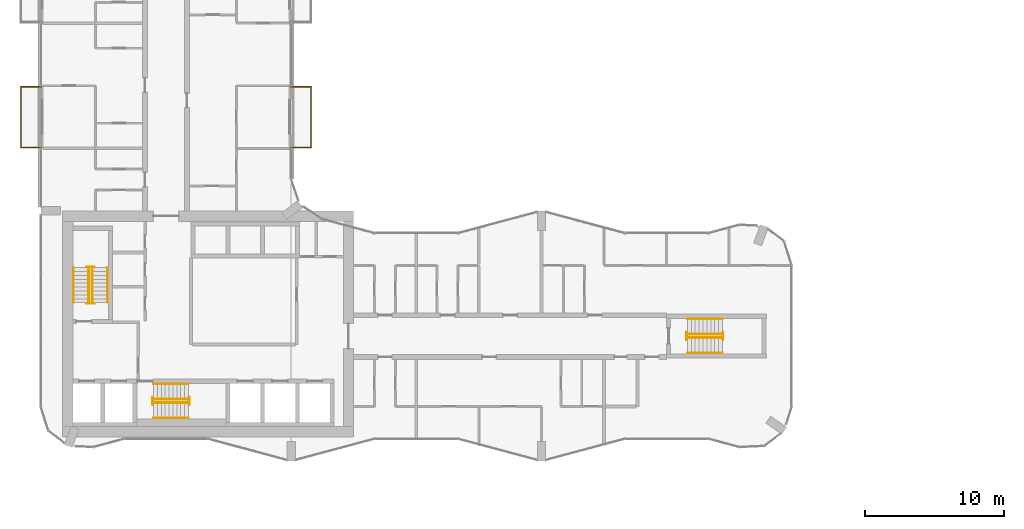
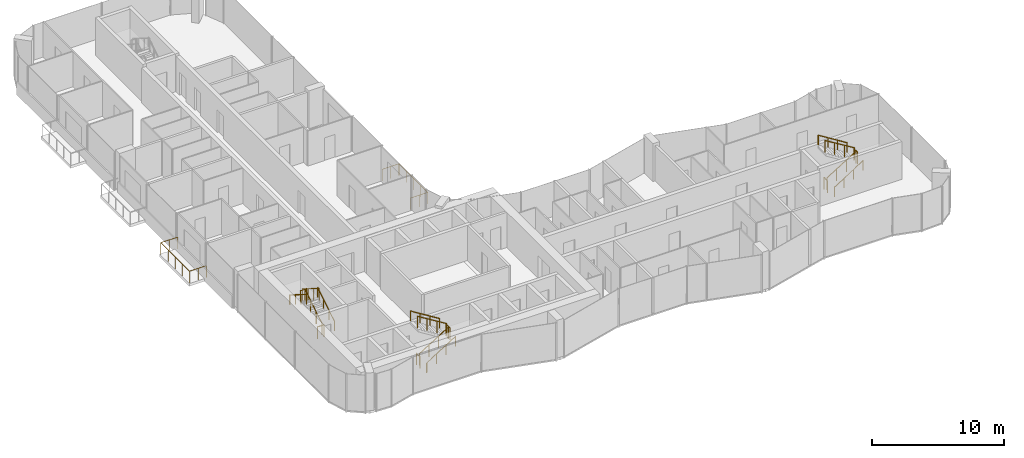
# One storey, part 21 of 23: 20 railings.
"""IFC4 building model written with IfcOpenShell, lengths in metres."""

import ifcopenshell
import ifcopenshell.guid

model = None  # the IFC model being written
_history = None  # IfcOwnerHistory: only IFC2X3 demands one
_inside = {}  # id of a spatial element -> (the spatial element, [elements in it])
_under = {}  # id of a project, library or spatial element -> (it, [spatial elements below it])
_declared = {}  # id of a project -> (the project, [libraries it declares])
_typed = {}  # id of a type object -> (the type object, [elements of that type])
_made_of = {}  # id of a material, layer set ... -> (it, [elements and type objects made of it])


def new_model(schema):
    """Start an empty IFC model of exactly this schema.

    Asked for "IFC4X3", IfcOpenShell would pick the latest addendum, in which some entities
    have other attributes; the version numbers below select the first issue.
    IFC2X3 requires an IfcOwnerHistory on every rooted entity: one is made here for all.
    """
    global model, _history
    if schema == "IFC4X3":
        model = ifcopenshell.file(schema_version=(4, 3, 0, 0))
    else:
        model = ifcopenshell.file(schema=schema)
    _inside.clear()
    _under.clear()
    _declared.clear()
    _typed.clear()
    _made_of.clear()
    _history = None
    if model.schema == "IFC2X3":
        org = make("IfcOrganization", Name="unknown")
        user = make(
            "IfcPersonAndOrganization",
            ThePerson=make("IfcPerson", FamilyName="unknown"),
            TheOrganization=org,
        )
        app = make(
            "IfcApplication",
            ApplicationDeveloper=org,
            Version="unknown",
            ApplicationFullName="unknown",
            ApplicationIdentifier="unknown",
        )
        _history = make(
            "IfcOwnerHistory",
            OwningUser=user,
            OwningApplication=app,
            ChangeAction="ADDED",
            CreationDate=0,
        )
    return model


def make(cls, **values):
    """One entity of the class cls with the attributes given. An attribute that is None is left unset."""
    return model.create_entity(
        cls, **{name: value for name, value in values.items() if value is not None}
    )


def rooted(cls, **values):
    """An entity with a GlobalId (a new one), such as an element, a storey or a relation."""
    return make(cls, GlobalId=ifcopenshell.guid.new(), OwnerHistory=_history, **values)


def si_unit(unit_type, name, prefix=None):
    """IfcSIUnit, for example si_unit("LENGTHUNIT", "METRE", prefix="MILLI")."""
    return make("IfcSIUnit", UnitType=unit_type, Prefix=prefix, Name=name)


def assignment(units):
    """IfcUnitAssignment: the units of a project."""
    return None if units is None else make("IfcUnitAssignment", Units=units)


def point(xyz):
    """IfcCartesianPoint."""
    return None if xyz is None else make("IfcCartesianPoint", Coordinates=xyz)


def direction(xyz):
    """IfcDirection."""
    return None if xyz is None else make("IfcDirection", DirectionRatios=xyz)


def frame(location, z_axis=None, x_axis=None):
    """IfcAxis2Placement3D, a coordinate frame: its origin and axes. An axis left out is left unset."""
    return make(
        "IfcAxis2Placement3D",
        Location=point(location),
        Axis=direction(z_axis),
        RefDirection=direction(x_axis),
    )


def frame_2d(location, x_axis=None):
    """IfcAxis2Placement2D, a coordinate frame in the plane: its origin and x axis."""
    return make(
        "IfcAxis2Placement2D", Location=point(location), RefDirection=direction(x_axis)
    )


def origin():
    """The frame at (0, 0, 0) with its axes left unset."""
    return frame((0.0, 0.0, 0.0))


def origin_2d():
    """The frame at (0, 0) in the plane with its x axis left unset."""
    return frame_2d((0.0, 0.0))


def place(relative_to, where):
    """IfcLocalPlacement: puts the frame where relative to a parent placement (None: the world)."""
    return make(
        "IfcLocalPlacement", PlacementRelTo=relative_to, RelativePlacement=where
    )


def context(
    kind, dimensions, precision=None, world=None, true_north=None, identifier=None
):
    """IfcGeometricRepresentationContext, for example the 3D "Model" context."""
    return make(
        "IfcGeometricRepresentationContext",
        ContextIdentifier=identifier,
        ContextType=kind,
        CoordinateSpaceDimension=dimensions,
        Precision=precision,
        WorldCoordinateSystem=world,
        TrueNorth=true_north,
    )


def subcontext(parent, identifier, kind, view, scale=None):
    """IfcGeometricRepresentationSubContext, for example "Body" below "Model"."""
    return make(
        "IfcGeometricRepresentationSubContext",
        ContextIdentifier=identifier,
        ContextType=kind,
        ParentContext=parent,
        TargetScale=scale,
        TargetView=view,
    )


def project(units=None, contexts=None):
    """IfcProject with its units and contexts."""
    return rooted(
        "IfcProject",
        Name="project",
        RepresentationContexts=contexts,
        UnitsInContext=assignment(units),
    )


def spatial(cls, under=None, at=None, **own):
    """A site, building, storey or space (cls), placed at a placement, below another one or the project."""
    s = rooted(cls, ObjectPlacement=at, **own)
    if under is not None:
        _under.setdefault(under.id(), (under, []))[1].append(s)
    return s


def profile(cls, at=None, kind="AREA", **sizes):
    """A parametric profile (cls). Its sizes go by their IFC names, for example OverallWidth=200.0."""
    return make(cls, ProfileType=kind, Position=at, **sizes)


def circle(**sizes):
    """IfcCircleProfileDef."""
    return profile("IfcCircleProfileDef", **sizes)


def extrude(swept, where, along, depth):
    """IfcExtrudedAreaSolid: the profile swept, set in the frame where, extruded along a direction by depth."""
    return make(
        "IfcExtrudedAreaSolid",
        SweptArea=swept,
        Position=where,
        ExtrudedDirection=direction(along),
        Depth=depth,
    )


def shape(context_of_items, identifier, shape_type, items):
    """IfcShapeRepresentation: the items that make up one representation, for example the "Body"."""
    return make(
        "IfcShapeRepresentation",
        ContextOfItems=context_of_items,
        RepresentationIdentifier=identifier,
        RepresentationType=shape_type,
        Items=items,
    )


def material(Name=None, Category=None):
    """IfcMaterial."""
    return make("IfcMaterial", Name=Name, Category=Category)


def made_of(thing, what):
    """Note that an element or type object is made of a material, layer set ...; save() writes the relation."""
    if what is not None:
        _made_of.setdefault(what.id(), (what, []))[1].append(thing)
    return thing


def type_object(cls, material=None, **own):
    """A type object (cls), such as IfcWallType, which elements share."""
    return made_of(rooted(cls, **own), material)


def element(
    cls,
    number,
    at=None,
    inside=None,
    cuts=None,
    type_object=None,
    material=None,
    context=None,
    identifier="Body",
    shape_type=None,
    held_by="IfcProductDefinitionShape",
    body=None,
    shapes=None,
    **own,
):
    """One element of the class cls, such as IfcWall. Its Tag is "e" and its number.

    at: its placement. inside: the storey or other place that contains it. cuts: it is an
    opening in that element (IfcRelVoidsElement). A single representation is given by context,
    identifier, shape_type and body (its items); several are given by shapes. held_by: the class
    of the entity that holds the representations. save() writes the other relations.
    """
    e = rooted(cls, Tag="e%d" % number, ObjectPlacement=at, **own)
    if body is not None:
        shapes = [shape(context, identifier, shape_type, body)]
    if shapes is not None:
        e.Representation = make(held_by, Representations=shapes)
    if inside is not None:
        _inside.setdefault(inside.id(), (inside, []))[1].append(e)
    if cuts is not None:
        rooted(
            "IfcRelVoidsElement", RelatingBuildingElement=cuts, RelatedOpeningElement=e
        )
    if type_object is not None:
        _typed.setdefault(type_object.id(), (type_object, []))[1].append(e)
    return made_of(e, material)


def aggregate(whole, parts):
    """IfcRelAggregates: a whole, such as a stair, and the parts it consists of."""
    return rooted("IfcRelAggregates", RelatingObject=whole, RelatedObjects=parts)


def save(model, path):
    """Write the relations noted so far, then the file.

    IfcRelAggregates (storeys below a building ...), IfcRelContainedInSpatialStructure (elements
    in a storey), IfcRelDefinesByType, IfcRelAssociatesMaterial and IfcRelDeclares: one each for
    every whole, place, type object, material and project.
    """
    for whole, parts in _under.values():
        aggregate(whole, parts)
    for where, things in _inside.values():
        rooted(
            "IfcRelContainedInSpatialStructure",
            RelatedElements=things,
            RelatingStructure=where,
        )
    for kind, things in _typed.values():
        rooted("IfcRelDefinesByType", RelatedObjects=things, RelatingType=kind)
    for what, things in _made_of.values():
        rooted("IfcRelAssociatesMaterial", RelatedObjects=things, RelatingMaterial=what)
    for by, libraries in _declared.values():
        rooted("IfcRelDeclares", RelatingContext=by, RelatedDefinitions=libraries)
    model.write(path)


model = new_model("IFC4")

# Units and contexts
model_context = context("Model", 3, precision=1e-05, world=origin(), true_north=direction((0.0, 1.0)))
body_context = subcontext(model_context, "Body", "Model", "MODEL_VIEW")
ifc_project = project(units=[si_unit("LENGTHUNIT", "METRE"), si_unit("AREAUNIT", "SQUARE_METRE"), si_unit("VOLUMEUNIT", "CUBIC_METRE"), si_unit("PLANEANGLEUNIT", "RADIAN"), si_unit("MASSUNIT", "GRAM", prefix="KILO")], contexts=[model_context])

# Site, building, storey
site_placement = place(None, origin())
site = spatial("IfcSite", under=ifc_project, at=site_placement, CompositionType="ELEMENT")
building_placement = place(site_placement, origin())
building = spatial("IfcBuilding", under=site, at=building_placement, Name="Plateau Cross Towers", CompositionType="ELEMENT")
storey_placement = place(building_placement, frame((0.0, 0.0, 37.300048828125)))
storey = spatial("IfcBuildingStorey", under=building, at=storey_placement, Name="L08", CompositionType="ELEMENT", Elevation=37.300048828125)

# Railings
ifc_material_1 = material(Name="Stainless steel and toughened glass", Category="steel")
railing_type_1 = type_object("IfcRailingType", Name="Glass balustrade guard 1100", PredefinedType="GUARDRAIL", material=ifc_material_1)
railing_1_placement = place(storey_placement, frame((0.050048828125, 22.570068359375, 0.0)))
element("IfcRailing", 1, at=railing_1_placement, inside=storey, type_object=railing_type_1, Name="Guard guard1", PredefinedType="GUARDRAIL", context=body_context, shape_type="SweptSolid", body=[
    extrude(circle(Radius=0.02392578125, at=origin_2d()), frame((0.0, 0.0, 1.076171875), z_axis=(-1.0, 0.0, 0.0), x_axis=(0.0, -1.0, 0.0)), (0.0, 0.0, 1.0), 1.47998046875),
    extrude(circle(Radius=0.02392578125, at=origin_2d()), frame((-1.47998046875, 0.0, 1.076171875), z_axis=(0.0, 1.0, 0.0), x_axis=(-1.0, 0.0, 0.0)), (0.0, 0.0, 1.0), 4.35986328125),
    extrude(circle(Radius=0.02392578125, at=origin_2d()), frame((-1.47998046875, 4.35986328125, 1.076171875), z_axis=(1.0, 0.0, 0.0), x_axis=(0.0, 1.0, 0.0)), (0.0, 0.0, 1.0), 1.47998046875),
    extrude(circle(Radius=0.02099609375, at=origin_2d()), origin(), (0.0, 0.0, 1.0), 1.052001953125),
    extrude(circle(Radius=0.02099609375, at=origin_2d()), frame((-0.739990234375, 0.0, 0.0)), (0.0, 0.0, 1.0), 1.052001953125),
    extrude(circle(Radius=0.02099609375, at=origin_2d()), frame((-1.47998046875, 0.0, 0.0)), (0.0, 0.0, 1.0), 1.052001953125),
    extrude(circle(Radius=0.02099609375, at=origin_2d()), frame((-1.47998046875, 1.08984375, 0.0)), (0.0, 0.0, 1.0), 1.052001953125),
    extrude(circle(Radius=0.02099609375, at=origin_2d()), frame((-1.47998046875, 2.179931640625, 0.0)), (0.0, 0.0, 1.0), 1.052001953125),
    extrude(circle(Radius=0.02099609375, at=origin_2d()), frame((-1.47998046875, 3.27001953125, 0.0)), (0.0, 0.0, 1.0), 1.052001953125),
    extrude(circle(Radius=0.02099609375, at=origin_2d()), frame((-1.47998046875, 4.35986328125, 0.0)), (0.0, 0.0, 1.0), 1.052001953125),
    extrude(circle(Radius=0.02099609375, at=origin_2d()), frame((-0.739990234375, 4.35986328125, 0.0)), (0.0, 0.0, 1.0), 1.052001953125),
    extrude(circle(Radius=0.02099609375, at=origin_2d()), frame((0.0, 4.35986328125, 0.0)), (0.0, 0.0, 1.0), 1.052001953125),
])
railing_2_placement = place(storey_placement, frame((17.949951171875, 26.929931640625, 0.0)))
element("IfcRailing", 2, at=railing_2_placement, inside=storey, type_object=railing_type_1, Name="Guard guard1", PredefinedType="GUARDRAIL", context=body_context, shape_type="SweptSolid", body=[
    extrude(circle(Radius=0.02392578125, at=origin_2d()), frame((0.0, 0.0, 1.076171875), z_axis=(1.0, 0.0, 0.0), x_axis=(0.0, 1.0, 0.0)), (0.0, 0.0, 1.0), 1.47998046875),
    extrude(circle(Radius=0.02392578125, at=origin_2d()), frame((1.47998046875, 0.0, 1.076171875), z_axis=(0.0, -1.0, 0.0), x_axis=(1.0, 0.0, 0.0)), (0.0, 0.0, 1.0), 4.35986328125),
    extrude(circle(Radius=0.02392578125, at=origin_2d()), frame((1.47998046875, -4.35986328125, 1.076171875), z_axis=(-1.0, 0.0, 0.0), x_axis=(0.0, -1.0, 0.0)), (0.0, 0.0, 1.0), 1.47998046875),
    extrude(circle(Radius=0.02099609375, at=origin_2d()), origin(), (0.0, 0.0, 1.0), 1.052001953125),
    extrude(circle(Radius=0.02099609375, at=origin_2d()), frame((0.739990234375, 0.0, 0.0)), (0.0, 0.0, 1.0), 1.052001953125),
    extrude(circle(Radius=0.02099609375, at=origin_2d()), frame((1.47998046875, 0.0, 0.0)), (0.0, 0.0, 1.0), 1.052001953125),
    extrude(circle(Radius=0.02099609375, at=origin_2d()), frame((1.47998046875, -1.08984375, 0.0)), (0.0, 0.0, 1.0), 1.052001953125),
    extrude(circle(Radius=0.02099609375, at=origin_2d()), frame((1.47998046875, -2.179931640625, 0.0)), (0.0, 0.0, 1.0), 1.052001953125),
    extrude(circle(Radius=0.02099609375, at=origin_2d()), frame((1.47998046875, -3.27001953125, 0.0)), (0.0, 0.0, 1.0), 1.052001953125),
    extrude(circle(Radius=0.02099609375, at=origin_2d()), frame((1.47998046875, -4.35986328125, 0.0)), (0.0, 0.0, 1.0), 1.052001953125),
    extrude(circle(Radius=0.02099609375, at=origin_2d()), frame((0.739990234375, -4.35986328125, 0.0)), (0.0, 0.0, 1.0), 1.052001953125),
    extrude(circle(Radius=0.02099609375, at=origin_2d()), frame((0.0, -4.35986328125, 0.0)), (0.0, 0.0, 1.0), 1.052001953125),
])
railing_type_2 = type_object("IfcRailingType", Name="RL-GUARD-1100", PredefinedType="GUARDRAIL", material=ifc_material_1)
railing_3_placement = place(storey_placement, frame((3.699951171875, 11.39990234375, 0.175048828125)))
element("IfcRailing", 3, at=railing_3_placement, inside=storey, type_object=railing_type_2, Name="L08 ST-1 stair guard 1", PredefinedType="GUARDRAIL", context=body_context, shape_type="SweptSolid", body=[
    extrude(circle(Radius=0.02392578125, at=origin_2d()), frame((0.0, 0.0, 1.076171875), z_axis=(0.0, 0.848007534815, 0.529984170421), x_axis=(-1.0, 0.0, 0.0)), (0.0, 0.0, 1.0), 2.9716796875),
    extrude(circle(Radius=0.02099609375, at=origin_2d()), origin(), (0.0, 0.0, 1.0), 1.052001953125),
    extrude(circle(Radius=0.02099609375, at=origin_2d()), frame((0.0, 0.840087890625, 0.52490234375)), (0.0, 0.0, 1.0), 1.052001953125),
    extrude(circle(Radius=0.02099609375, at=origin_2d()), frame((0.0, 1.679931640625, 1.050048828125)), (0.0, 0.0, 1.0), 1.052001953125),
    extrude(circle(Radius=0.02099609375, at=origin_2d()), frame((0.0, 2.52001953125, 1.574951171875)), (0.0, 0.0, 1.0), 1.052001953125),
])
railing_4_placement = place(storey_placement, frame((3.85009765625, 13.969970703125, 1.75)))
element("IfcRailing", 4, at=railing_4_placement, inside=storey, type_object=railing_type_2, Name="L08 ST-1 stair guard 2", PredefinedType="GUARDRAIL", context=body_context, shape_type="SweptSolid", body=[
    extrude(circle(Radius=0.02392578125, at=origin_2d()), frame((0.0, 0.0, 1.076171875), z_axis=(-1.0, 0.0, 0.0), x_axis=(0.0, -1.0, 0.0)), (0.0, 0.0, 1.0), 0.550048828125),
    extrude(circle(Radius=0.02099609375, at=origin_2d()), origin(), (0.0, 0.0, 1.0), 1.052001953125),
    extrude(circle(Radius=0.02099609375, at=origin_2d()), frame((-0.550048828125, 0.0, 0.0)), (0.0, 0.0, 1.0), 1.052001953125),
])
railing_5_placement = place(storey_placement, frame((3.449951171875, 13.919921875, 1.925048828125)))
element("IfcRailing", 5, at=railing_5_placement, inside=storey, type_object=railing_type_2, Name="L08 ST-1 stair guard 3", PredefinedType="GUARDRAIL", context=body_context, shape_type="SweptSolid", body=[
    extrude(circle(Radius=0.02392578125, at=origin_2d()), frame((0.0, 0.0, 1.076171875), z_axis=(0.0, -0.852616386126, 0.522537365276), x_axis=(1.0, 0.0, 0.0)), (0.0, 0.0, 1.0), 3.01416015625),
    extrude(circle(Radius=0.02099609375, at=origin_2d()), origin(), (0.0, 0.0, 1.0), 1.052001953125),
    extrude(circle(Radius=0.02099609375, at=origin_2d()), frame((0.0, -0.856689453125, 0.52490234375)), (0.0, 0.0, 1.0), 1.052001953125),
    extrude(circle(Radius=0.02099609375, at=origin_2d()), frame((0.0, -1.713134765625, 1.050048828125)), (0.0, 0.0, 1.0), 1.052001953125),
    extrude(circle(Radius=0.02099609375, at=origin_2d()), frame((0.0, -2.56982421875, 1.574951171875)), (0.0, 0.0, 1.0), 1.052001953125),
])
railing_6_placement = place(storey_placement, frame((3.85009765625, 11.35009765625, 0.0)))
element("IfcRailing", 6, at=railing_6_placement, inside=storey, type_object=railing_type_2, Name="L08 ST-1 stair guard 4", PredefinedType="GUARDRAIL", context=body_context, shape_type="SweptSolid", body=[
    extrude(circle(Radius=0.02392578125, at=origin_2d()), frame((0.0, 0.0, 1.076171875), z_axis=(-1.0, 0.0, 0.0), x_axis=(0.0, -1.0, 0.0)), (0.0, 0.0, 1.0), 0.550048828125),
    extrude(circle(Radius=0.02099609375, at=origin_2d()), origin(), (0.0, 0.0, 1.0), 1.052001953125),
    extrude(circle(Radius=0.02099609375, at=origin_2d()), frame((-0.550048828125, 0.0, 0.0)), (0.0, 0.0, 1.0), 1.052001953125),
])
railing_7_placement = place(storey_placement, frame((8.10009765625, 4.199951171875, 0.175048828125)))
element("IfcRailing", 7, at=railing_7_placement, inside=storey, type_object=railing_type_2, Name="L08 ST-2 stair guard 1", PredefinedType="GUARDRAIL", context=body_context, shape_type="SweptSolid", body=[
    extrude(circle(Radius=0.02392578125, at=origin_2d()), frame((0.0, 0.0, 1.076171875), z_axis=(0.848007534815, 0.0, 0.529984170421), x_axis=(0.0, 1.0, 0.0)), (0.0, 0.0, 1.0), 2.9716796875),
    extrude(circle(Radius=0.02099609375, at=origin_2d()), origin(), (0.0, 0.0, 1.0), 1.052001953125),
    extrude(circle(Radius=0.02099609375, at=origin_2d()), frame((0.840087890625, 0.0, 0.52490234375)), (0.0, 0.0, 1.0), 1.052001953125),
    extrude(circle(Radius=0.02099609375, at=origin_2d()), frame((1.679931640625, 0.0, 1.050048828125)), (0.0, 0.0, 1.0), 1.052001953125),
    extrude(circle(Radius=0.02099609375, at=origin_2d()), frame((2.52001953125, 0.0, 1.574951171875)), (0.0, 0.0, 1.0), 1.052001953125),
])
railing_8_placement = place(storey_placement, frame((10.669921875, 4.050048828125, 1.75)))
element("IfcRailing", 8, at=railing_8_placement, inside=storey, type_object=railing_type_2, Name="L08 ST-2 stair guard 2", PredefinedType="GUARDRAIL", context=body_context, shape_type="SweptSolid", body=[
    extrude(circle(Radius=0.02392578125, at=origin_2d()), frame((0.0, 0.0, 1.076171875), z_axis=(0.0, 1.0, 0.0), x_axis=(-1.0, 0.0, 0.0)), (0.0, 0.0, 1.0), 0.550048828125),
    extrude(circle(Radius=0.02099609375, at=origin_2d()), origin(), (0.0, 0.0, 1.0), 1.052001953125),
    extrude(circle(Radius=0.02099609375, at=origin_2d()), frame((0.0, 0.550048828125, 0.0)), (0.0, 0.0, 1.0), 1.052001953125),
])
railing_9_placement = place(storey_placement, frame((10.6201171875, 4.449951171875, 1.925048828125)))
element("IfcRailing", 9, at=railing_9_placement, inside=storey, type_object=railing_type_2, Name="L08 ST-2 stair guard 3", PredefinedType="GUARDRAIL", context=body_context, shape_type="SweptSolid", body=[
    extrude(circle(Radius=0.02392578125, at=origin_2d()), frame((0.0, 0.0, 1.076171875), z_axis=(-0.852638500773, 0.0, 0.522501279423), x_axis=(0.0, -1.0, 0.0)), (0.0, 0.0, 1.0), 3.01416015625),
    extrude(circle(Radius=0.02099609375, at=origin_2d()), origin(), (0.0, 0.0, 1.0), 1.052001953125),
    extrude(circle(Radius=0.02099609375, at=origin_2d()), frame((-0.856689453125, 0.0, 0.52490234375)), (0.0, 0.0, 1.0), 1.052001953125),
    extrude(circle(Radius=0.02099609375, at=origin_2d()), frame((-1.71337890625, 0.0, 1.050048828125)), (0.0, 0.0, 1.0), 1.052001953125),
    extrude(circle(Radius=0.02099609375, at=origin_2d()), frame((-2.570068359375, 0.0, 1.574951171875)), (0.0, 0.0, 1.0), 1.052001953125),
])
railing_10_placement = place(storey_placement, frame((8.050048828125, 4.050048828125, 0.0)))
element("IfcRailing", 10, at=railing_10_placement, inside=storey, type_object=railing_type_2, Name="L08 ST-2 stair guard 4", PredefinedType="GUARDRAIL", context=body_context, shape_type="SweptSolid", body=[
    extrude(circle(Radius=0.02392578125, at=origin_2d()), frame((0.0, 0.0, 1.076171875), z_axis=(0.0, 1.0, 0.0), x_axis=(-1.0, 0.0, 0.0)), (0.0, 0.0, 1.0), 0.550048828125),
    extrude(circle(Radius=0.02099609375, at=origin_2d()), origin(), (0.0, 0.0, 1.0), 1.052001953125),
    extrude(circle(Radius=0.02099609375, at=origin_2d()), frame((0.0, 0.550048828125, 0.0)), (0.0, 0.0, 1.0), 1.052001953125),
])
railing_11_placement = place(storey_placement, frame((46.5, 8.875, 0.175048828125)))
element("IfcRailing", 11, at=railing_11_placement, inside=storey, type_object=railing_type_2, Name="L08 ES-E stair guard 1", PredefinedType="GUARDRAIL", context=body_context, shape_type="SweptSolid", body=[
    extrude(circle(Radius=0.02392578125, at=origin_2d()), frame((0.0, 0.0, 1.076171875), z_axis=(0.848007534815, 0.0, 0.529984170421), x_axis=(0.0, 1.0, 0.0)), (0.0, 0.0, 1.0), 2.9716796875),
    extrude(circle(Radius=0.02099609375, at=origin_2d()), origin(), (0.0, 0.0, 1.0), 1.052001953125),
    extrude(circle(Radius=0.02099609375, at=origin_2d()), frame((0.840087890625, 0.0, 0.52490234375)), (0.0, 0.0, 1.0), 1.052001953125),
    extrude(circle(Radius=0.02099609375, at=origin_2d()), frame((1.679931640625, 0.0, 1.050048828125)), (0.0, 0.0, 1.0), 1.052001953125),
    extrude(circle(Radius=0.02099609375, at=origin_2d()), frame((2.52001953125, 0.0, 1.574951171875)), (0.0, 0.0, 1.0), 1.052001953125),
])
railing_12_placement = place(storey_placement, frame((49.070068359375, 8.72509765625, 1.75)))
element("IfcRailing", 12, at=railing_12_placement, inside=storey, type_object=railing_type_2, Name="L08 ES-E stair guard 2", PredefinedType="GUARDRAIL", context=body_context, shape_type="SweptSolid", body=[
    extrude(circle(Radius=0.02392578125, at=origin_2d()), frame((0.0, 0.0, 1.076171875), z_axis=(0.0, 1.0, 0.0), x_axis=(-1.0, 0.0, 0.0)), (0.0, 0.0, 1.0), 0.5498046875),
    extrude(circle(Radius=0.02099609375, at=origin_2d()), origin(), (0.0, 0.0, 1.0), 1.052001953125),
    extrude(circle(Radius=0.02099609375, at=origin_2d()), frame((0.0, 0.5498046875, 0.0)), (0.0, 0.0, 1.0), 1.052001953125),
])
railing_13_placement = place(storey_placement, frame((49.02001953125, 9.125, 1.925048828125)))
element("IfcRailing", 13, at=railing_13_placement, inside=storey, type_object=railing_type_2, Name="L08 ES-E stair guard 3", PredefinedType="GUARDRAIL", context=body_context, shape_type="SweptSolid", body=[
    extrude(circle(Radius=0.02392578125, at=origin_2d()), frame((0.0, 0.0, 1.076171875), z_axis=(-0.852638500773, 0.0, 0.522501279423), x_axis=(0.0, -1.0, 0.0)), (0.0, 0.0, 1.0), 3.01416015625),
    extrude(circle(Radius=0.02099609375, at=origin_2d()), origin(), (0.0, 0.0, 1.0), 1.052001953125),
    extrude(circle(Radius=0.02099609375, at=origin_2d()), frame((-0.856689453125, 0.0, 0.52490234375)), (0.0, 0.0, 1.0), 1.052001953125),
    extrude(circle(Radius=0.02099609375, at=origin_2d()), frame((-1.71337890625, 0.0, 1.050048828125)), (0.0, 0.0, 1.0), 1.052001953125),
    extrude(circle(Radius=0.02099609375, at=origin_2d()), frame((-2.570068359375, 0.0, 1.574951171875)), (0.0, 0.0, 1.0), 1.052001953125),
])
railing_14_placement = place(storey_placement, frame((46.449951171875, 8.72509765625, 0.0)))
element("IfcRailing", 14, at=railing_14_placement, inside=storey, type_object=railing_type_2, Name="L08 ES-E stair guard 4", PredefinedType="GUARDRAIL", context=body_context, shape_type="SweptSolid", body=[
    extrude(circle(Radius=0.02392578125, at=origin_2d()), frame((0.0, 0.0, 1.076171875), z_axis=(0.0, 1.0, 0.0), x_axis=(-1.0, 0.0, 0.0)), (0.0, 0.0, 1.0), 0.5498046875),
    extrude(circle(Radius=0.02099609375, at=origin_2d()), origin(), (0.0, 0.0, 1.0), 1.052001953125),
    extrude(circle(Radius=0.02099609375, at=origin_2d()), frame((0.0, 0.5498046875, 0.0)), (0.0, 0.0, 1.0), 1.052001953125),
])
ifc_material_2 = material(Name="Black anodised aluminium", Category="aluminium")
railing_type_3 = type_object("IfcRailingType", Name="RL-HANDRAIL-900", PredefinedType="HANDRAIL", material=ifc_material_2)
railing_15_placement = place(storey_placement, frame((4.800048828125, 11.39990234375, 0.175048828125)))
element("IfcRailing", 15, at=railing_15_placement, inside=storey, type_object=railing_type_3, Name="L08 ST-1 stair handrail 1", PredefinedType="HANDRAIL", context=body_context, shape_type="SweptSolid", body=[
    extrude(circle(Radius=0.02392578125, at=origin_2d()), frame((0.0, 0.0, 0.8759765625), z_axis=(0.0, 0.848007534815, 0.529984170421), x_axis=(-1.0, 0.0, 0.0)), (0.0, 0.0, 1.0), 2.9716796875),
    extrude(circle(Radius=0.02099609375, at=origin_2d()), origin(), (0.0, 0.0, 1.0), 0.851806640625),
    extrude(circle(Radius=0.02099609375, at=origin_2d()), frame((0.0, 0.840087890625, 0.52490234375)), (0.0, 0.0, 1.0), 0.851806640625),
    extrude(circle(Radius=0.02099609375, at=origin_2d()), frame((0.0, 1.679931640625, 1.050048828125)), (0.0, 0.0, 1.0), 0.851806640625),
    extrude(circle(Radius=0.02099609375, at=origin_2d()), frame((0.0, 2.52001953125, 1.574951171875)), (0.0, 0.0, 1.0), 0.851806640625),
])
railing_16_placement = place(storey_placement, frame((2.35009765625, 13.919921875, 1.925048828125)))
element("IfcRailing", 16, at=railing_16_placement, inside=storey, type_object=railing_type_3, Name="L08 ST-1 stair handrail 2", PredefinedType="HANDRAIL", context=body_context, shape_type="SweptSolid", body=[
    extrude(circle(Radius=0.02392578125, at=origin_2d()), frame((0.0, 0.0, 0.8759765625), z_axis=(0.0, -0.848007534815, 0.529984170421), x_axis=(1.0, 0.0, 0.0)), (0.0, 0.0, 1.0), 2.9716796875),
    extrude(circle(Radius=0.02099609375, at=origin_2d()), origin(), (0.0, 0.0, 1.0), 0.851806640625),
    extrude(circle(Radius=0.02099609375, at=origin_2d()), frame((0.0, -0.840087890625, 0.52490234375)), (0.0, 0.0, 1.0), 0.851806640625),
    extrude(circle(Radius=0.02099609375, at=origin_2d()), frame((0.0, -1.679931640625, 1.050048828125)), (0.0, 0.0, 1.0), 0.851806640625),
    extrude(circle(Radius=0.02099609375, at=origin_2d()), frame((0.0, -2.52001953125, 1.574951171875)), (0.0, 0.0, 1.0), 0.851806640625),
])
railing_17_placement = place(storey_placement, frame((8.10009765625, 3.10009765625, 0.175048828125)))
element("IfcRailing", 17, at=railing_17_placement, inside=storey, type_object=railing_type_3, Name="L08 ST-2 stair handrail 1", PredefinedType="HANDRAIL", context=body_context, shape_type="SweptSolid", body=[
    extrude(circle(Radius=0.02392578125, at=origin_2d()), frame((0.0, 0.0, 0.8759765625), z_axis=(0.848007534815, 0.0, 0.529984170421), x_axis=(0.0, 1.0, 0.0)), (0.0, 0.0, 1.0), 2.9716796875),
    extrude(circle(Radius=0.02099609375, at=origin_2d()), origin(), (0.0, 0.0, 1.0), 0.851806640625),
    extrude(circle(Radius=0.02099609375, at=origin_2d()), frame((0.840087890625, 0.0, 0.52490234375)), (0.0, 0.0, 1.0), 0.851806640625),
    extrude(circle(Radius=0.02099609375, at=origin_2d()), frame((1.679931640625, 0.0, 1.050048828125)), (0.0, 0.0, 1.0), 0.851806640625),
    extrude(circle(Radius=0.02099609375, at=origin_2d()), frame((2.52001953125, 0.0, 1.574951171875)), (0.0, 0.0, 1.0), 0.851806640625),
])
railing_18_placement = place(storey_placement, frame((10.6201171875, 5.550048828125, 1.925048828125)))
element("IfcRailing", 18, at=railing_18_placement, inside=storey, type_object=railing_type_3, Name="L08 ST-2 stair handrail 2", PredefinedType="HANDRAIL", context=body_context, shape_type="SweptSolid", body=[
    extrude(circle(Radius=0.02392578125, at=origin_2d()), frame((0.0, 0.0, 0.8759765625), z_axis=(-0.848007534815, 0.0, 0.529984170421), x_axis=(0.0, -1.0, 0.0)), (0.0, 0.0, 1.0), 2.9716796875),
    extrude(circle(Radius=0.02099609375, at=origin_2d()), origin(), (0.0, 0.0, 1.0), 0.851806640625),
    extrude(circle(Radius=0.02099609375, at=origin_2d()), frame((-0.840087890625, 0.0, 0.52490234375)), (0.0, 0.0, 1.0), 0.851806640625),
    extrude(circle(Radius=0.02099609375, at=origin_2d()), frame((-1.679931640625, 0.0, 1.050048828125)), (0.0, 0.0, 1.0), 0.851806640625),
    extrude(circle(Radius=0.02099609375, at=origin_2d()), frame((-2.52001953125, 0.0, 1.574951171875)), (0.0, 0.0, 1.0), 0.851806640625),
])
railing_19_placement = place(storey_placement, frame((46.5, 7.77490234375, 0.175048828125)))
element("IfcRailing", 19, at=railing_19_placement, inside=storey, type_object=railing_type_3, Name="L08 ES-E stair handrail 1", PredefinedType="HANDRAIL", context=body_context, shape_type="SweptSolid", body=[
    extrude(circle(Radius=0.02392578125, at=origin_2d()), frame((0.0, 0.0, 0.8759765625), z_axis=(0.848007534815, 0.0, 0.529984170421), x_axis=(0.0, 1.0, 0.0)), (0.0, 0.0, 1.0), 2.9716796875),
    extrude(circle(Radius=0.02099609375, at=origin_2d()), origin(), (0.0, 0.0, 1.0), 0.851806640625),
    extrude(circle(Radius=0.02099609375, at=origin_2d()), frame((0.840087890625, 0.0, 0.52490234375)), (0.0, 0.0, 1.0), 0.851806640625),
    extrude(circle(Radius=0.02099609375, at=origin_2d()), frame((1.679931640625, 0.0, 1.050048828125)), (0.0, 0.0, 1.0), 0.851806640625),
    extrude(circle(Radius=0.02099609375, at=origin_2d()), frame((2.52001953125, 0.0, 1.574951171875)), (0.0, 0.0, 1.0), 0.851806640625),
])
railing_20_placement = place(storey_placement, frame((49.02001953125, 10.22509765625, 1.925048828125)))
element("IfcRailing", 20, at=railing_20_placement, inside=storey, type_object=railing_type_3, Name="L08 ES-E stair handrail 2", PredefinedType="HANDRAIL", context=body_context, shape_type="SweptSolid", body=[
    extrude(circle(Radius=0.02392578125, at=origin_2d()), frame((0.0, 0.0, 0.8759765625), z_axis=(-0.848007534815, 0.0, 0.529984170421), x_axis=(0.0, -1.0, 0.0)), (0.0, 0.0, 1.0), 2.9716796875),
    extrude(circle(Radius=0.02099609375, at=origin_2d()), origin(), (0.0, 0.0, 1.0), 0.851806640625),
    extrude(circle(Radius=0.02099609375, at=origin_2d()), frame((-0.840087890625, 0.0, 0.52490234375)), (0.0, 0.0, 1.0), 0.851806640625),
    extrude(circle(Radius=0.02099609375, at=origin_2d()), frame((-1.679931640625, 0.0, 1.050048828125)), (0.0, 0.0, 1.0), 0.851806640625),
    extrude(circle(Radius=0.02099609375, at=origin_2d()), frame((-2.52001953125, 0.0, 1.574951171875)), (0.0, 0.0, 1.0), 0.851806640625),
])

save(model, "model.ifc")
